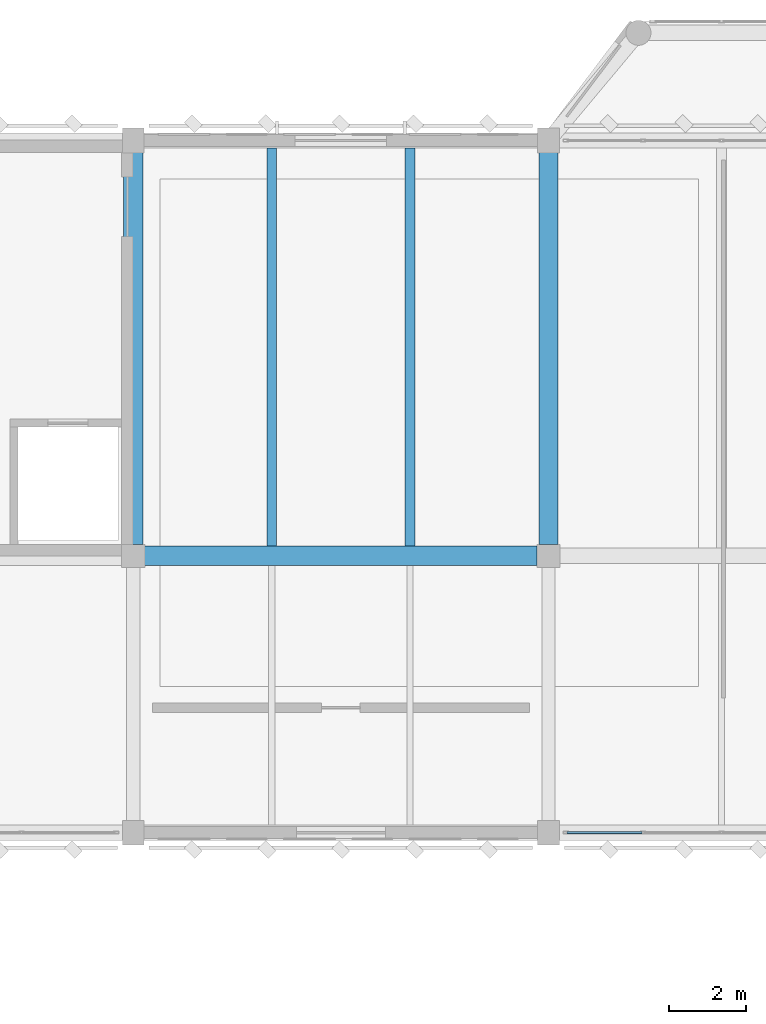
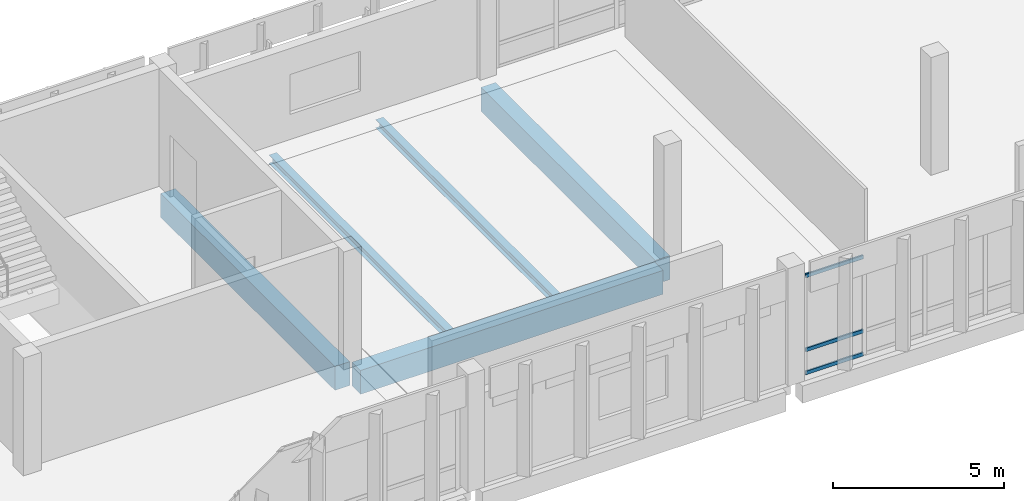
# One storey, part 58 of 158: 5 beams, 3 members, 1 element without a shape of its own.
"""IFC4 building model written with IfcOpenShell, lengths in metres."""

from ifc_helpers import new_model, si_unit, direction, frame, origin, origin_2d, place, context, subcontext, project, spatial, rectangle, hollow_rectangle, i_section, extrude, material, material_profile, profile_set, type_object, element, aggregate, save


model = new_model("IFC4")

# Units and contexts
model_context = context("Model", 3, precision=1e-05, world=origin(), true_north=direction((0.0, 1.0)))
body_context = subcontext(model_context, "Body", "Model", "MODEL_VIEW")
ifc_project = project(units=[si_unit("LENGTHUNIT", "METRE"), si_unit("AREAUNIT", "SQUARE_METRE"), si_unit("VOLUMEUNIT", "CUBIC_METRE"), si_unit("PLANEANGLEUNIT", "RADIAN"), si_unit("MASSUNIT", "GRAM", prefix="KILO")], contexts=[model_context])

# Site, building, storey
site_placement = place(None, origin())
site = spatial("IfcSite", under=ifc_project, at=site_placement, CompositionType="ELEMENT")
building_placement = place(site_placement, origin())
building = spatial("IfcBuilding", under=site, at=building_placement, Name="Lusvemor Sports Hall", CompositionType="ELEMENT")
storey_placement = place(building_placement, frame((0.0, 0.0, 10.800048828125)))
storey = spatial("IfcBuildingStorey", under=building, at=storey_placement, Name="L02", CompositionType="ELEMENT", Elevation=10.800048828125)

# Curtain wall, members
ifc_material_1 = material(Name="Thermally broken bronze-anodized aluminium", Category="aluminium")
curtain_wall_type = type_object("IfcCurtainWallType", Name="CW_WING_B", PredefinedType="NOTDEFINED", material=ifc_material_1)
curtain_wall_placement = place(storey_placement, origin())
curtain_wall = element("IfcCurtainWall", 1, at=curtain_wall_placement, inside=storey, type_object=curtain_wall_type, Name="Curtain Wall CW-L02-S-3-5", PredefinedType="NOTDEFINED")
ifc_material_2 = material(Name="Thermally broken bronze-anodized aluminium", Category="aluminium")
ifc_material_profile_1 = material_profile(ifc_material_2, hollow_rectangle(XDim=0.06005859375, YDim=0.135009765625, WallThickness=0.00390625, InnerFilletRadius=0.00390625, OuterFilletRadius=0.008056640625, at=origin_2d()), Name="CWTRN135x60x4")
ifc_profile_set_1 = profile_set([ifc_material_profile_1], Name="Thermally broken bronze-anodized aluminium")
member_type = type_object("IfcMemberType", Name="CW_TRN_B", PredefinedType="USERDEFINED", material=ifc_profile_set_1)
member_1_placement = place(storey_placement, frame((78.027587890625, 97.199951171875, 0.030029296875), z_axis=(-1.0, 0.0, 0.0), x_axis=(0.0, -1.0, 0.0)))
member_1 = element("IfcMember", 2, at=member_1_placement, type_object=member_type, Name="CW02 transom 4.1", ObjectType="TRANSOM", PredefinedType="USERDEFINED", context=body_context, shape_type="SweptSolid", body=[
    extrude(hollow_rectangle(XDim=0.06005859375, YDim=0.135009765625, WallThickness=0.00390625, InnerFilletRadius=0.00390625, OuterFilletRadius=0.008056640625, at=origin_2d()), origin(), (0.0, 0.0, 1.0), 1.942626953125),
])
member_2_placement = place(storey_placement, frame((78.027587890625, 97.199951171875, 0.849853515625), z_axis=(-1.0, 0.0, 0.0), x_axis=(0.0, -1.0, 0.0)))
member_2 = element("IfcMember", 3, at=member_2_placement, type_object=member_type, Name="CW02 transom 4.2", ObjectType="TRANSOM", PredefinedType="USERDEFINED", context=body_context, shape_type="SweptSolid", body=[
    extrude(hollow_rectangle(XDim=0.06005859375, YDim=0.135009765625, WallThickness=0.00390625, InnerFilletRadius=0.00390625, OuterFilletRadius=0.008056640625, at=origin_2d()), origin(), (0.0, 0.0, 1.0), 1.942626953125),
])
member_3_placement = place(storey_placement, frame((78.027587890625, 97.199951171875, 3.489990234375), z_axis=(-1.0, 0.0, 0.0), x_axis=(0.0, -1.0, 0.0)))
member_3 = element("IfcMember", 4, at=member_3_placement, type_object=member_type, Name="CW02 transom 4.3", ObjectType="TRANSOM", PredefinedType="USERDEFINED", context=body_context, shape_type="SweptSolid", body=[
    extrude(hollow_rectangle(XDim=0.06005859375, YDim=0.135009765625, WallThickness=0.00390625, InnerFilletRadius=0.00390625, OuterFilletRadius=0.008056640625, at=origin_2d()), origin(), (0.0, 0.0, 1.0), 1.942626953125),
])
aggregate(curtain_wall, [member_1, member_2, member_3])

# Beams
ifc_material_3 = material(Name="Concrete C40/50", Category="concrete")
ifc_material_profile_2 = material_profile(ifc_material_3, rectangle(XDim=0.5, YDim=0.85009765625, at=origin_2d()), Name="RC500x850")
ifc_profile_set_2 = profile_set([ifc_material_profile_2], Name="Concrete C40/50")
beam_type_1 = type_object("IfcBeamType", Name="GIRD_RC_850", PredefinedType="T_BEAM", material=ifc_profile_set_2)
beam_placement = place(storey_placement, frame((65.095947265625, 104.39990234375, -0.68505859375), z_axis=(1.0, 0.0, 0.0), x_axis=(0.0, 1.0, 0.0)))
element("IfcBeam", 5, at=beam_placement, inside=storey, type_object=beam_type_1, Name="Beam L02 P:7-8", PredefinedType="T_BEAM", context=body_context, shape_type="SweptSolid", body=[
    extrude(rectangle(XDim=0.5, YDim=0.85009765625, at=origin_2d()), origin(), (0.0, 0.0, 1.0), 10.2080078125),
])
for number, where, z_axis, x_axis, name in (
    (6, (64.800048828125, 104.696044921875, -0.68505859375), (0.0, 1.0, 0.0), (-1.0, 0.0, 0.0), "Beam L02 7:P-Q"),
    (7, (75.60009765625, 104.696044921875, -0.68505859375), (0.0, 1.0, 0.0), (-1.0, 0.0, 0.0), "Beam L02 8:P-Q"),
):
    element("IfcBeam", number, at=place(storey_placement, frame(where, z_axis=z_axis, x_axis=x_axis)), inside=storey, type_object=beam_type_1, Name=name, PredefinedType="T_BEAM", context=body_context, shape_type="SweptSolid", body=[
        extrude(rectangle(XDim=0.5, YDim=0.85009765625, at=origin_2d()), origin(), (0.0, 0.0, 1.0), 10.18798828125),
    ])
ifc_material_4 = material(Name="Steel S355", Category="steel")
ifc_material_profile_3 = material_profile(ifc_material_4, i_section(OverallWidth=0.25390625, OverallDepth=0.305908203125, WebThickness=0.0087890625, FlangeThickness=0.0146484375, FilletRadius=0.014892578125, at=origin_2d()), Name="W310x79.0")
ifc_profile_set_3 = profile_set([ifc_material_profile_3], Name="Steel S355")
beam_type_2 = type_object("IfcBeamType", Name="JOIST_ST_310H", PredefinedType="JOIST", material=ifc_profile_set_3)
for number, where, z_axis, x_axis, name in (
    (8, (68.39990234375, 104.64599609375, -0.4169921875), (0.0, 1.0, 0.0), (-1.0, 0.0, 0.0), "Secondary Joist L02 7-8/P-Q #1"),
    (9, (72.0, 104.64599609375, -0.4169921875), (0.0, 1.0, 0.0), (-1.0, 0.0, 0.0), "Secondary Joist L02 7-8/P-Q #2"),
):
    element("IfcBeam", number, at=place(storey_placement, frame(where, z_axis=z_axis, x_axis=x_axis)), inside=storey, type_object=beam_type_2, Name=name, PredefinedType="JOIST", context=body_context, shape_type="SweptSolid", body=[
        extrude(i_section(OverallWidth=0.25390625, OverallDepth=0.305908203125, WebThickness=0.0087890625, FlangeThickness=0.0146484375, FilletRadius=0.014892578125, at=origin_2d()), origin(), (0.0, 0.0, 1.0), 10.35791015625),
    ])

save(model, "model.ifc")
